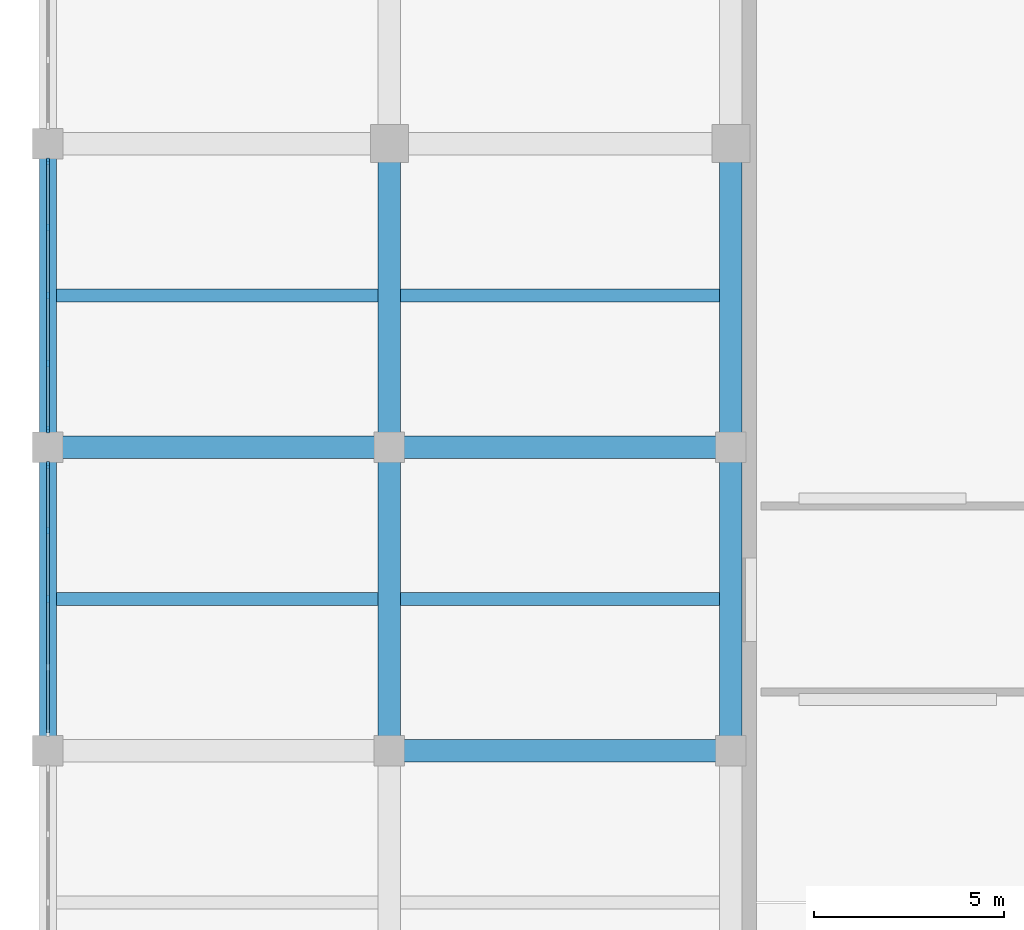
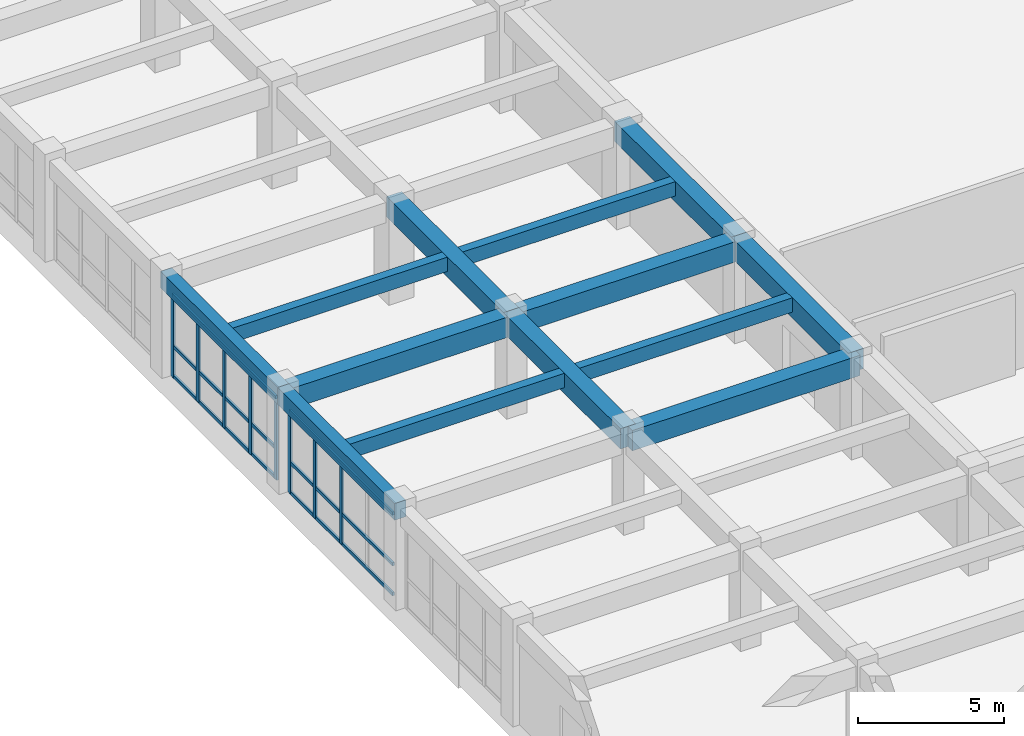
# One storey, part 7 of 50: 14 members, 13 beams, 2 elements without a shape of their own.
"""IFC4 building model written with IfcOpenShell, lengths in metres."""

from ifc_helpers import new_model, si_unit, direction, frame, origin, origin_2d, place, context, subcontext, project, spatial, rectangle, extrude, material, material_profile, profile_set, type_object, element, aggregate, save


model = new_model("IFC4")

# Units and contexts
model_context = context("Model", 3, precision=1e-05, world=origin(), true_north=direction((0.0, 1.0)))
body_context = subcontext(model_context, "Body", "Model", "MODEL_VIEW")
ifc_project = project(units=[si_unit("LENGTHUNIT", "METRE"), si_unit("AREAUNIT", "SQUARE_METRE"), si_unit("VOLUMEUNIT", "CUBIC_METRE"), si_unit("PLANEANGLEUNIT", "RADIAN"), si_unit("MASSUNIT", "GRAM", prefix="KILO")], contexts=[model_context])

# Site, building, storey
site_placement = place(None, origin())
site = spatial("IfcSite", under=ifc_project, at=site_placement, CompositionType="ELEMENT")
building_placement = place(site_placement, origin())
building = spatial("IfcBuilding", under=site, at=building_placement, Name="Zaverband Oceanarium and Marine Research Institute", CompositionType="ELEMENT")
storey_placement = place(building_placement, frame((0.0, 0.0, 4.5)))
storey = spatial("IfcBuildingStorey", under=building, at=storey_placement, Name="L01", CompositionType="ELEMENT", Elevation=4.5)

# Beams
ifc_material_1 = material(Name="Concrete C40/50", Category="concrete")
ifc_material_profile_1 = material_profile(ifc_material_1, rectangle(XDim=0.60009765625, YDim=0.85009765625, at=origin_2d()), Name="RC600x850")
ifc_profile_set_1 = profile_set([ifc_material_profile_1], Name="Concrete C40/50")
beam_type_1 = type_object("IfcBeamType", Name="BM-600x850", PredefinedType="BEAM", material=ifc_profile_set_1)
for number, where, z_axis, x_axis, name in (
    (1, (9.0, 48.0, 3.7548828125), (1.0, 0.0, 0.0), (0.0, 1.0, 0.0), "Primary floor girder BM-600x850"),
    (2, (0.0, 56.0, 3.7548828125), (1.0, 0.0, 0.0), (0.0, 1.0, 0.0), "Primary floor girder BM-600x850"),
    (3, (9.0, 56.0, 3.7548828125), (1.0, 0.0, 0.0), (0.0, 1.0, 0.0), "Primary floor girder BM-600x850"),
):
    element("IfcBeam", number, at=place(storey_placement, frame(where, z_axis=z_axis, x_axis=x_axis)), inside=storey, type_object=beam_type_1, Name=name, PredefinedType="BEAM", context=body_context, shape_type="SweptSolid", body=[
        extrude(rectangle(XDim=0.60009765625, YDim=0.85009765625, at=origin_2d()), origin(), (0.0, 0.0, 1.0), 9.0),
    ])
for number, where, z_axis, x_axis, name in (
    (4, (9.0, 48.0, 3.7548828125), (0.0, 1.0, 0.0), (-1.0, 0.0, 0.0), "Primary floor girder BM-600x850"),
    (5, (9.0, 56.0, 3.7548828125), (0.0, 1.0, 0.0), (-1.0, 0.0, 0.0), "Primary floor girder BM-600x850"),
    (6, (18.0, 48.0, 3.7548828125), (0.0, 1.0, 0.0), (-1.0, 0.0, 0.0), "Primary floor girder BM-600x850"),
    (7, (18.0, 56.0, 3.7548828125), (0.0, 1.0, 0.0), (-1.0, 0.0, 0.0), "Primary floor girder BM-600x850"),
):
    element("IfcBeam", number, at=place(storey_placement, frame(where, z_axis=z_axis, x_axis=x_axis)), inside=storey, type_object=beam_type_1, Name=name, PredefinedType="BEAM", context=body_context, shape_type="SweptSolid", body=[
        extrude(rectangle(XDim=0.60009765625, YDim=0.85009765625, at=origin_2d()), origin(), (0.0, 0.0, 1.0), 8.0),
    ])
ifc_material_profile_2 = material_profile(ifc_material_1, rectangle(XDim=0.35009765625, YDim=0.60009765625, at=origin_2d()), Name="RC350x600")
ifc_profile_set_2 = profile_set([ifc_material_profile_2], Name="Concrete C40/50")
beam_type_2 = type_object("IfcBeamType", Name="JST-350x600", PredefinedType="JOIST", material=ifc_profile_set_2)
for number, where, z_axis, x_axis, name in (
    (8, (0.22509765625, 52.0, 3.8798828125), (1.0, 0.0, 0.0), (0.0, 1.0, 0.0), "Secondary floor joist JST-350x600"),
    (9, (0.22509765625, 60.0, 3.8798828125), (1.0, 0.0, 0.0), (0.0, 1.0, 0.0), "Secondary floor joist JST-350x600"),
):
    element("IfcBeam", number, at=place(storey_placement, frame(where, z_axis=z_axis, x_axis=x_axis)), inside=storey, type_object=beam_type_2, Name=name, PredefinedType="JOIST", context=body_context, shape_type="SweptSolid", body=[
        extrude(rectangle(XDim=0.35009765625, YDim=0.60009765625, at=origin_2d()), origin(), (0.0, 0.0, 1.0), 8.474853515625),
    ])
for number, where, z_axis, x_axis, name in (
    (10, (9.300048828125, 52.0, 3.8798828125), (1.0, 0.0, 0.0), (0.0, 1.0, 0.0), "Secondary floor joist JST-350x600"),
    (11, (9.300048828125, 60.0, 3.8798828125), (1.0, 0.0, 0.0), (0.0, 1.0, 0.0), "Secondary floor joist JST-350x600"),
):
    element("IfcBeam", number, at=place(storey_placement, frame(where, z_axis=z_axis, x_axis=x_axis)), inside=storey, type_object=beam_type_2, Name=name, PredefinedType="JOIST", context=body_context, shape_type="SweptSolid", body=[
        extrude(rectangle(XDim=0.35009765625, YDim=0.60009765625, at=origin_2d()), origin(), (0.0, 0.0, 1.0), 8.39990234375),
    ])

# Curtain wall, members
ifc_material_2 = material(Name="Thermally broken anodized aluminium and solar-control glass", Category="aluminium")
curtain_wall_type = type_object("IfcCurtainWallType", Name="CW-UNIT-1800", PredefinedType="NOTDEFINED", material=ifc_material_2)
curtain_wall_1_placement = place(storey_placement, origin())
curtain_wall_1 = element("IfcCurtainWall", 12, at=curtain_wall_1_placement, inside=storey, type_object=curtain_wall_type, Name="Unitised glazed curtain wall CW-030", PredefinedType="NOTDEFINED")
ifc_material_3 = material(Name="Thermally broken anodized aluminium", Category="aluminium")
ifc_material_profile_3 = material_profile(ifc_material_3, rectangle(XDim=0.080078125, YDim=0.179931640625, at=origin_2d()), Name="AL-MUL-80x180")
ifc_profile_set_3 = profile_set([ifc_material_profile_3], Name="Thermally broken anodized aluminium")
member_type_1 = type_object("IfcMemberType", Name="MUL-80x180", PredefinedType="MULLION", material=ifc_profile_set_3)
member_1_placement = place(storey_placement, frame((0.0, 52.0, 0.0), z_axis=(0.0, 0.0, 1.0), x_axis=(1.0, 0.0, 0.0)))
member_1 = element("IfcMember", 13, at=member_1_placement, type_object=member_type_1, Name="Curtain wall vertical mullion MUL-80x180", PredefinedType="MULLION", context=body_context, shape_type="SweptSolid", body=[
    extrude(rectangle(XDim=0.080078125, YDim=0.179931640625, at=origin_2d()), origin(), (0.0, 0.0, 1.0), 3.4599609375),
])
member_2_placement = place(storey_placement, frame((0.0, 53.797607421875, 0.0), z_axis=(0.0, 0.0, 1.0), x_axis=(1.0, 0.0, 0.0)))
member_2 = element("IfcMember", 14, at=member_2_placement, type_object=member_type_1, Name="Curtain wall vertical mullion MUL-80x180", PredefinedType="MULLION", context=body_context, shape_type="SweptSolid", body=[
    extrude(rectangle(XDim=0.080078125, YDim=0.179931640625, at=origin_2d()), origin(), (0.0, 0.0, 1.0), 3.4599609375),
])
member_3_placement = place(storey_placement, frame((0.0, 55.534912109375, 0.0), z_axis=(0.0, 0.0, 1.0), x_axis=(1.0, 0.0, 0.0)))
member_3 = element("IfcMember", 15, at=member_3_placement, type_object=member_type_1, Name="Curtain wall vertical mullion MUL-80x180", PredefinedType="MULLION", context=body_context, shape_type="SweptSolid", body=[
    extrude(rectangle(XDim=0.080078125, YDim=0.179931640625, at=origin_2d()), origin(), (0.0, 0.0, 1.0), 3.4599609375),
])

curtain_wall_2_placement = place(storey_placement, origin())
curtain_wall_2 = element("IfcCurtainWall", 16, at=curtain_wall_2_placement, inside=storey, type_object=curtain_wall_type, Name="Unitised glazed curtain wall CW-031", PredefinedType="NOTDEFINED")
member_4_placement = place(storey_placement, frame((0.0, 56.465087890625, 0.0), z_axis=(0.0, 0.0, 1.0), x_axis=(1.0, 0.0, 0.0)))
member_4 = element("IfcMember", 17, at=member_4_placement, type_object=member_type_1, Name="Curtain wall vertical mullion MUL-80x180", PredefinedType="MULLION", context=body_context, shape_type="SweptSolid", body=[
    extrude(rectangle(XDim=0.080078125, YDim=0.179931640625, at=origin_2d()), origin(), (0.0, 0.0, 1.0), 3.4599609375),
])
member_5_placement = place(storey_placement, frame((0.0, 58.202392578125, 0.0), z_axis=(0.0, 0.0, 1.0), x_axis=(1.0, 0.0, 0.0)))
member_5 = element("IfcMember", 18, at=member_5_placement, type_object=member_type_1, Name="Curtain wall vertical mullion MUL-80x180", PredefinedType="MULLION", context=body_context, shape_type="SweptSolid", body=[
    extrude(rectangle(XDim=0.080078125, YDim=0.179931640625, at=origin_2d()), origin(), (0.0, 0.0, 1.0), 3.4599609375),
])
member_6_placement = place(storey_placement, frame((0.0, 60.0, 0.0), z_axis=(0.0, 0.0, 1.0), x_axis=(1.0, 0.0, 0.0)))
member_6 = element("IfcMember", 19, at=member_6_placement, type_object=member_type_1, Name="Curtain wall vertical mullion MUL-80x180", PredefinedType="MULLION", context=body_context, shape_type="SweptSolid", body=[
    extrude(rectangle(XDim=0.080078125, YDim=0.179931640625, at=origin_2d()), origin(), (0.0, 0.0, 1.0), 3.4599609375),
])
member_7_placement = place(storey_placement, frame((0.0, 61.797607421875, 0.0), z_axis=(0.0, 0.0, 1.0), x_axis=(1.0, 0.0, 0.0)))
member_7 = element("IfcMember", 20, at=member_7_placement, type_object=member_type_1, Name="Curtain wall vertical mullion MUL-80x180", PredefinedType="MULLION", context=body_context, shape_type="SweptSolid", body=[
    extrude(rectangle(XDim=0.080078125, YDim=0.179931640625, at=origin_2d()), origin(), (0.0, 0.0, 1.0), 3.4599609375),
])
member_8_placement = place(storey_placement, frame((0.0, 63.534912109375, 0.0), z_axis=(0.0, 0.0, 1.0), x_axis=(1.0, 0.0, 0.0)))
member_8 = element("IfcMember", 21, at=member_8_placement, type_object=member_type_1, Name="Curtain wall vertical mullion MUL-80x180", PredefinedType="MULLION", context=body_context, shape_type="SweptSolid", body=[
    extrude(rectangle(XDim=0.080078125, YDim=0.179931640625, at=origin_2d()), origin(), (0.0, 0.0, 1.0), 3.4599609375),
])

# Beams
ifc_material_profile_4 = material_profile(ifc_material_1, rectangle(XDim=0.449951171875, YDim=0.699951171875, at=origin_2d()), Name="RC450x700")
ifc_profile_set_4 = profile_set([ifc_material_profile_4], Name="Concrete C40/50")
beam_type_3 = type_object("IfcBeamType", Name="SPN-450x700", PredefinedType="SPANDREL", material=ifc_profile_set_4)
for number, where, z_axis, x_axis, name in (
    (22, (0.0, 48.0, 3.830078125), (0.0, 1.0, 0.0), (-1.0, 0.0, 0.0), "Perimeter spandrel beam SPN-450x700"),
    (23, (0.0, 56.0, 3.830078125), (0.0, 1.0, 0.0), (-1.0, 0.0, 0.0), "Perimeter spandrel beam SPN-450x700"),
):
    element("IfcBeam", number, at=place(storey_placement, frame(where, z_axis=z_axis, x_axis=x_axis)), inside=storey, type_object=beam_type_3, Name=name, PredefinedType="SPANDREL", context=body_context, shape_type="SweptSolid", body=[
        extrude(rectangle(XDim=0.449951171875, YDim=0.699951171875, at=origin_2d()), origin(), (0.0, 0.0, 1.0), 8.0),
    ])

# Member
ifc_material_profile_5 = material_profile(ifc_material_3, rectangle(XDim=0.080078125, YDim=0.139892578125, at=origin_2d()), Name="AL-TRN-80x140")
ifc_profile_set_5 = profile_set([ifc_material_profile_5], Name="Thermally broken anodized aluminium")
member_type_2 = type_object("IfcMemberType", Name="TRN-80x140", PredefinedType="USERDEFINED", material=ifc_profile_set_5)
member_9_placement = place(storey_placement, frame((0.0, 48.465087890625, 0.050048828125), z_axis=(0.0, 1.0, 0.0), x_axis=(-1.0, 0.0, 0.0)))
member_9 = element("IfcMember", 24, at=member_9_placement, type_object=member_type_2, Name="Curtain wall horizontal transom TRN-80x140", ObjectType="TRANSOM", PredefinedType="USERDEFINED", context=body_context, shape_type="SweptSolid", body=[
    extrude(rectangle(XDim=0.080078125, YDim=0.139892578125, at=origin_2d()), origin(), (0.0, 0.0, 1.0), 7.06982421875),
])

member_10_placement = place(storey_placement, frame((0.0, 48.465087890625, 1.291015625), z_axis=(0.0, 1.0, 0.0), x_axis=(-1.0, 0.0, 0.0)))
member_10 = element("IfcMember", 25, at=member_10_placement, type_object=member_type_2, Name="Curtain wall horizontal transom TRN-80x140", ObjectType="TRANSOM", PredefinedType="USERDEFINED", context=body_context, shape_type="SweptSolid", body=[
    extrude(rectangle(XDim=0.080078125, YDim=0.139892578125, at=origin_2d()), origin(), (0.0, 0.0, 1.0), 7.06982421875),
])

member_11_placement = place(storey_placement, frame((0.0, 48.465087890625, 3.409912109375), z_axis=(0.0, 1.0, 0.0), x_axis=(-1.0, 0.0, 0.0)))
member_11 = element("IfcMember", 26, at=member_11_placement, type_object=member_type_2, Name="Curtain wall horizontal transom TRN-80x140", ObjectType="TRANSOM", PredefinedType="USERDEFINED", context=body_context, shape_type="SweptSolid", body=[
    extrude(rectangle(XDim=0.080078125, YDim=0.139892578125, at=origin_2d()), origin(), (0.0, 0.0, 1.0), 7.06982421875),
])

aggregate(curtain_wall_1, [member_1, member_2, member_3, member_9, member_10, member_11])

member_12_placement = place(storey_placement, frame((0.0, 56.465087890625, 0.050048828125), z_axis=(0.0, 1.0, 0.0), x_axis=(-1.0, 0.0, 0.0)))
member_12 = element("IfcMember", 27, at=member_12_placement, type_object=member_type_2, Name="Curtain wall horizontal transom TRN-80x140", ObjectType="TRANSOM", PredefinedType="USERDEFINED", context=body_context, shape_type="SweptSolid", body=[
    extrude(rectangle(XDim=0.080078125, YDim=0.139892578125, at=origin_2d()), origin(), (0.0, 0.0, 1.0), 7.06982421875),
])

member_13_placement = place(storey_placement, frame((0.0, 56.465087890625, 1.291015625), z_axis=(0.0, 1.0, 0.0), x_axis=(-1.0, 0.0, 0.0)))
member_13 = element("IfcMember", 28, at=member_13_placement, type_object=member_type_2, Name="Curtain wall horizontal transom TRN-80x140", ObjectType="TRANSOM", PredefinedType="USERDEFINED", context=body_context, shape_type="SweptSolid", body=[
    extrude(rectangle(XDim=0.080078125, YDim=0.139892578125, at=origin_2d()), origin(), (0.0, 0.0, 1.0), 7.06982421875),
])

member_14_placement = place(storey_placement, frame((0.0, 56.465087890625, 3.409912109375), z_axis=(0.0, 1.0, 0.0), x_axis=(-1.0, 0.0, 0.0)))
member_14 = element("IfcMember", 29, at=member_14_placement, type_object=member_type_2, Name="Curtain wall horizontal transom TRN-80x140", ObjectType="TRANSOM", PredefinedType="USERDEFINED", context=body_context, shape_type="SweptSolid", body=[
    extrude(rectangle(XDim=0.080078125, YDim=0.139892578125, at=origin_2d()), origin(), (0.0, 0.0, 1.0), 7.06982421875),
])

aggregate(curtain_wall_2, [member_4, member_5, member_6, member_7, member_8, member_12, member_13, member_14])

save(model, "model.ifc")
